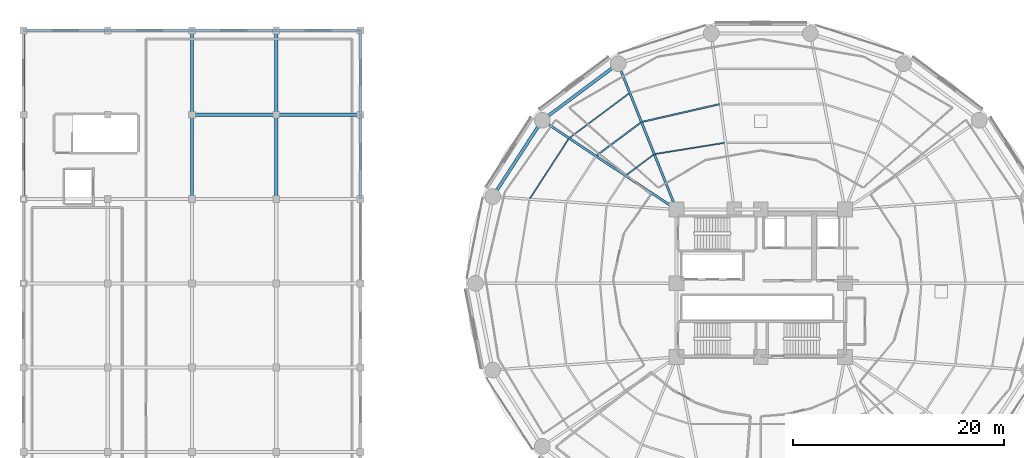
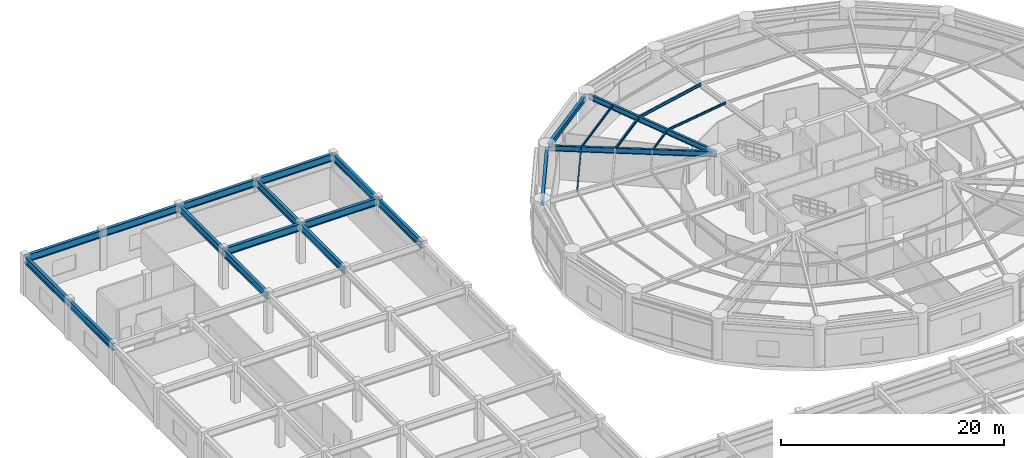
# One storey, part 25 of 46: 24 beams.
"""IFC4 building model written with IfcOpenShell, lengths in metres."""

from ifc_helpers import new_model, si_unit, direction, frame, origin, origin_2d, place, context, subcontext, project, spatial, i_section, extrude, material, material_profile, profile_set, type_object, element, save


model = new_model("IFC4")

# Units and contexts
model_context = context("Model", 3, precision=1e-05, world=origin(), true_north=direction((0.0, 1.0)))
body_context = subcontext(model_context, "Body", "Model", "MODEL_VIEW")
ifc_project = project(units=[si_unit("LENGTHUNIT", "METRE"), si_unit("AREAUNIT", "SQUARE_METRE"), si_unit("VOLUMEUNIT", "CUBIC_METRE"), si_unit("PLANEANGLEUNIT", "RADIAN"), si_unit("MASSUNIT", "GRAM", prefix="KILO")], contexts=[model_context])

# Site, building, storey
site_placement = place(None, origin())
site = spatial("IfcSite", under=ifc_project, at=site_placement, CompositionType="ELEMENT")
building_placement = place(site_placement, origin())
building = spatial("IfcBuilding", under=site, at=building_placement, Name="Kelanora Arch Commons", CompositionType="ELEMENT")
storey_placement = place(building_placement, frame((0.0, 0.0, 18.0)))
storey = spatial("IfcBuildingStorey", under=building, at=storey_placement, Name="L04", CompositionType="ELEMENT", Elevation=18.0)

# Beams
ifc_material = material(Name="Steel S355", Category="steel")
ifc_material_profile_1 = material_profile(ifc_material, i_section(OverallWidth=0.14990234375, OverallDepth=0.300048828125, WebThickness=0.007080078125, FlangeThickness=0.0107421875, FilletRadius=0.014892578125, at=origin_2d()), Name="IPE300")
ifc_profile_set_1 = profile_set([ifc_material_profile_1], Name="Steel S355")
beam_type_1 = type_object("IfcBeamType", Name="BM-JST-01", PredefinedType="JOIST", material=ifc_profile_set_1)
beam_1_placement = place(storey_placement, frame((70.087646484375, 75.009521484375, 4.090087890625), z_axis=(-0.974770159254, -0.223210968877, 0.0), x_axis=(0.223210968877, -0.974770159254, 0.0)))
element("IfcBeam", 1, at=beam_1_placement, inside=storey, type_object=beam_type_1, Name="Secondary Chord Joist BJB-10 L04", PredefinedType="JOIST", context=body_context, shape_type="SweptSolid", body=[
    extrude(i_section(OverallWidth=0.14990234375, OverallDepth=0.300048828125, WebThickness=0.007080078125, FlangeThickness=0.0107421875, FilletRadius=0.014892578125, at=origin_2d()), origin(), (0.0, 0.0, 1.0), 7.5185546875),
])
beam_2_placement = place(storey_placement, frame((62.60791015625, 73.261474609375, 4.090087890625), z_axis=(-0.801478251559, -0.598023922831, 0.0), x_axis=(0.598023922831, -0.801478251559, 0.0)))
element("IfcBeam", 2, at=beam_2_placement, inside=storey, type_object=beam_type_1, Name="Secondary Chord Joist BJB-12 L04", PredefinedType="JOIST", context=body_context, shape_type="SweptSolid", body=[
    extrude(i_section(OverallWidth=0.14990234375, OverallDepth=0.300048828125, WebThickness=0.007080078125, FlangeThickness=0.0107421875, FilletRadius=0.014892578125, at=origin_2d()), origin(), (0.0, 0.0, 1.0), 5.223388671875),
])
ifc_material_profile_2 = material_profile(ifc_material, i_section(OverallWidth=0.1201171875, OverallDepth=0.239990234375, WebThickness=0.006103515625, FlangeThickness=0.009765625, FilletRadius=0.014892578125, at=origin_2d()), Name="IPE240")
ifc_profile_set_2 = profile_set([ifc_material_profile_2], Name="Steel S355")
beam_type_2 = type_object("IfcBeamType", Name="BM-JST-02", PredefinedType="JOIST", material=ifc_profile_set_2)
beam_3_placement = place(storey_placement, frame((70.56689453125, 71.337890625, 4.1201171875), z_axis=(-0.987306715654, -0.158825215959, 0.0), x_axis=(0.158825215959, -0.987306715654, 0.0)))
element("IfcBeam", 3, at=beam_3_placement, inside=storey, type_object=beam_type_2, Name="Secondary Chord Joist BJA-10 L04", PredefinedType="JOIST", context=body_context, shape_type="SweptSolid", body=[
    extrude(i_section(OverallWidth=0.1201171875, OverallDepth=0.239990234375, WebThickness=0.006103515625, FlangeThickness=0.009765625, FilletRadius=0.014892578125, at=origin_2d()), origin(), (0.0, 0.0, 1.0), 6.6728515625),
])
beam_4_placement = place(storey_placement, frame((63.82666015625, 70.213623046875, 4.1201171875), z_axis=(-0.801513822608, -0.59797624716, 0.0), x_axis=(0.59797624716, -0.801513822608, 0.0)))
element("IfcBeam", 4, at=beam_4_placement, inside=storey, type_object=beam_type_2, Name="Secondary Chord Joist BJA-12 L04", PredefinedType="JOIST", context=body_context, shape_type="SweptSolid", body=[
    extrude(i_section(OverallWidth=0.1201171875, OverallDepth=0.239990234375, WebThickness=0.006103515625, FlangeThickness=0.009765625, FilletRadius=0.014892578125, at=origin_2d()), origin(), (0.0, 0.0, 1.0), 3.245849609375),
])
beam_5_placement = place(storey_placement, frame((61.5, 76.0322265625, 4.1201171875), z_axis=(-0.80149131963, -0.598006408459, 0.0), x_axis=(0.598006408459, -0.80149131963, 0.0)))
element("IfcBeam", 5, at=beam_5_placement, inside=storey, type_object=beam_type_2, Name="Secondary Chord Joist BJC-12 L04", PredefinedType="JOIST", context=body_context, shape_type="SweptSolid", body=[
    extrude(i_section(OverallWidth=0.1201171875, OverallDepth=0.239990234375, WebThickness=0.006103515625, FlangeThickness=0.009765625, FilletRadius=0.014892578125, at=origin_2d()), origin(), (0.0, 0.0, 1.0), 7.021240234375),
])
beam_6_placement = place(storey_placement, frame((55.758056640625, 71.711181640625, 4.1201171875), z_axis=(-0.544550165372, -0.838728273873, 0.0), x_axis=(0.838728273873, -0.544550165372, 0.0)))
element("IfcBeam", 6, at=beam_6_placement, inside=storey, type_object=beam_type_2, Name="Secondary Chord Joist BJC-14 L04", PredefinedType="JOIST", context=body_context, shape_type="SweptSolid", body=[
    extrude(i_section(OverallWidth=0.1201171875, OverallDepth=0.239990234375, WebThickness=0.006103515625, FlangeThickness=0.009765625, FilletRadius=0.014892578125, at=origin_2d()), origin(), (0.0, 0.0, 1.0), 6.738037109375),
])
ifc_material_profile_3 = material_profile(ifc_material, i_section(OverallWidth=0.300048828125, OverallDepth=0.800048828125, WebThickness=0.017578125, FlangeThickness=0.032958984375, FilletRadius=0.030029296875, at=origin_2d()), Name="HEB800")
ifc_profile_set_3 = profile_set([ifc_material_profile_3], Name="Steel S355")
beam_type_3 = type_object("IfcBeamType", Name="BM-MKT-ROOF", PredefinedType="USERDEFINED", material=ifc_profile_set_3)
for number, where, z_axis, x_axis, name in (
    (7, (4.0, 66.0, 3.860107421875), (0.0, 1.0, 0.0), (-1.0, 0.0, 0.0), "Market/Basement Frame Beam 018 L04"),
    (8, (4.0, 74.0, 3.860107421875), (0.0, 1.0, 0.0), (-1.0, 0.0, 0.0), "Market/Basement Frame Beam 019 L04"),
    (9, (4.0, 82.0, 3.860107421875), (1.0, 0.0, 0.0), (0.0, 1.0, 0.0), "Market/Basement Frame Beam 020 L04"),
    (10, (12.0, 82.0, 3.860107421875), (1.0, 0.0, 0.0), (0.0, 1.0, 0.0), "Market/Basement Frame Beam 037 L04"),
    (11, (20.0, 66.0, 3.860107421875), (0.0, 1.0, 0.0), (-1.0, 0.0, 0.0), "Market/Basement Frame Beam 055 L04"),
    (12, (20.0, 74.0, 3.860107421875), (1.0, 0.0, 0.0), (0.0, 1.0, 0.0), "Market/Basement Frame Beam 056 L04"),
    (13, (20.0, 74.0, 3.860107421875), (0.0, 1.0, 0.0), (-1.0, 0.0, 0.0), "Market/Basement Frame Beam 057 L04"),
    (14, (20.0, 82.0, 3.860107421875), (1.0, 0.0, 0.0), (0.0, 1.0, 0.0), "Market/Basement Frame Beam 058 L04"),
    (15, (28.0, 66.0, 3.860107421875), (0.0, 1.0, 0.0), (-1.0, 0.0, 0.0), "Market/Basement Frame Beam 076 L04"),
    (16, (28.0, 74.0, 3.860107421875), (1.0, 0.0, 0.0), (0.0, 1.0, 0.0), "Market/Basement Frame Beam 077 L04"),
    (17, (28.0, 74.0, 3.860107421875), (0.0, 1.0, 0.0), (-1.0, 0.0, 0.0), "Market/Basement Frame Beam 078 L04"),
    (18, (28.0, 82.0, 3.860107421875), (1.0, 0.0, 0.0), (0.0, 1.0, 0.0), "Market/Basement Frame Beam 079 L04"),
    (19, (36.0, 66.0, 3.860107421875), (0.0, 1.0, 0.0), (-1.0, 0.0, 0.0), "Market/Basement Frame Beam 092 L04"),
    (20, (36.0, 74.0, 3.860107421875), (0.0, 1.0, 0.0), (-1.0, 0.0, 0.0), "Market/Basement Frame Beam 093 L04"),
):
    element("IfcBeam", number, at=place(storey_placement, frame(where, z_axis=z_axis, x_axis=x_axis)), inside=storey, type_object=beam_type_3, Name=name, ObjectType="TRANSFER_GIRDER", PredefinedType="USERDEFINED", context=body_context, shape_type="SweptSolid", body=[
        extrude(i_section(OverallWidth=0.300048828125, OverallDepth=0.800048828125, WebThickness=0.017578125, FlangeThickness=0.032958984375, FilletRadius=0.030029296875, at=origin_2d()), origin(), (0.0, 0.0, 1.0), 8.0),
    ])
ifc_material_profile_4 = material_profile(ifc_material, i_section(OverallWidth=0.219970703125, OverallDepth=0.60009765625, WebThickness=0.011962890625, FlangeThickness=0.01904296875, FilletRadius=0.02392578125, at=origin_2d()), Name="IPE600")
ifc_profile_set_4 = profile_set([ifc_material_profile_4], Name="Steel S355")
beam_type_4 = type_object("IfcBeamType", Name="BM-RAD-Z1", PredefinedType="BEAM", material=ifc_profile_set_4)
beam_7_placement = place(storey_placement, frame((66.0, 65.0, 3.93994140625), z_axis=(-0.371296182896, 0.928514482691, 0.0), x_axis=(-0.928514482691, -0.371296182896, 0.0)))
element("IfcBeam", 21, at=beam_7_placement, inside=storey, type_object=beam_type_4, Name="Radial Floor Girder BR-12 L04", PredefinedType="BEAM", context=body_context, shape_type="SweptSolid", body=[
    extrude(i_section(OverallWidth=0.219970703125, OverallDepth=0.60009765625, WebThickness=0.011962890625, FlangeThickness=0.01904296875, FilletRadius=0.02392578125, at=origin_2d()), origin(), (0.0, 0.0, 1.0), 14.700439453125),
])
beam_8_placement = place(storey_placement, frame((66.0, 65.0, 3.93994140625), z_axis=(-0.832592623638, 0.553885839379, 0.0), x_axis=(-0.553885839379, -0.832592623638, 0.0)))
element("IfcBeam", 22, at=beam_8_placement, inside=storey, type_object=beam_type_4, Name="Radial Floor Girder BR-14 L04", PredefinedType="BEAM", context=body_context, shape_type="SweptSolid", body=[
    extrude(i_section(OverallWidth=0.219970703125, OverallDepth=0.60009765625, WebThickness=0.011962890625, FlangeThickness=0.01904296875, FilletRadius=0.02392578125, at=origin_2d()), origin(), (0.0, 0.0, 1.0), 15.0869140625),
])
ifc_material_profile_5 = material_profile(ifc_material, i_section(OverallWidth=0.300048828125, OverallDepth=0.60009765625, WebThickness=0.015380859375, FlangeThickness=0.030029296875, FilletRadius=0.027099609375, at=origin_2d()), Name="HEB600")
ifc_profile_set_5 = profile_set([ifc_material_profile_5], Name="Steel S355")
beam_type_5 = type_object("IfcBeamType", Name="BM-SPN-Z1", PredefinedType="SPANDREL", material=ifc_profile_set_5)
beam_9_placement = place(storey_placement, frame((60.28369140625, 78.722412109375, 3.93994140625), z_axis=(-0.801474585329, -0.598028836322, 0.0), x_axis=(0.598028836322, -0.801474585329, 0.0)))
element("IfcBeam", 23, at=beam_9_placement, inside=storey, type_object=beam_type_5, Name="Perimeter Spandrel Beam BS-12 L04", PredefinedType="SPANDREL", context=body_context, shape_type="SweptSolid", body=[
    extrude(i_section(OverallWidth=0.300048828125, OverallDepth=0.60009765625, WebThickness=0.015380859375, FlangeThickness=0.030029296875, FilletRadius=0.027099609375, at=origin_2d()), origin(), (0.0, 0.0, 1.0), 8.549072265625),
])
beam_10_placement = place(storey_placement, frame((53.1357421875, 73.293701171875, 3.93994140625), z_axis=(-0.544583445345, -0.83870666568, 0.0), x_axis=(0.83870666568, -0.544583445345, 0.0)))
element("IfcBeam", 24, at=beam_10_placement, inside=storey, type_object=beam_type_5, Name="Perimeter Spandrel Beam BS-14 L04", PredefinedType="SPANDREL", context=body_context, shape_type="SweptSolid", body=[
    extrude(i_section(OverallWidth=0.300048828125, OverallDepth=0.60009765625, WebThickness=0.015380859375, FlangeThickness=0.030029296875, FilletRadius=0.027099609375, at=origin_2d()), origin(), (0.0, 0.0, 1.0), 8.415283203125),
])

save(model, "model.ifc")
